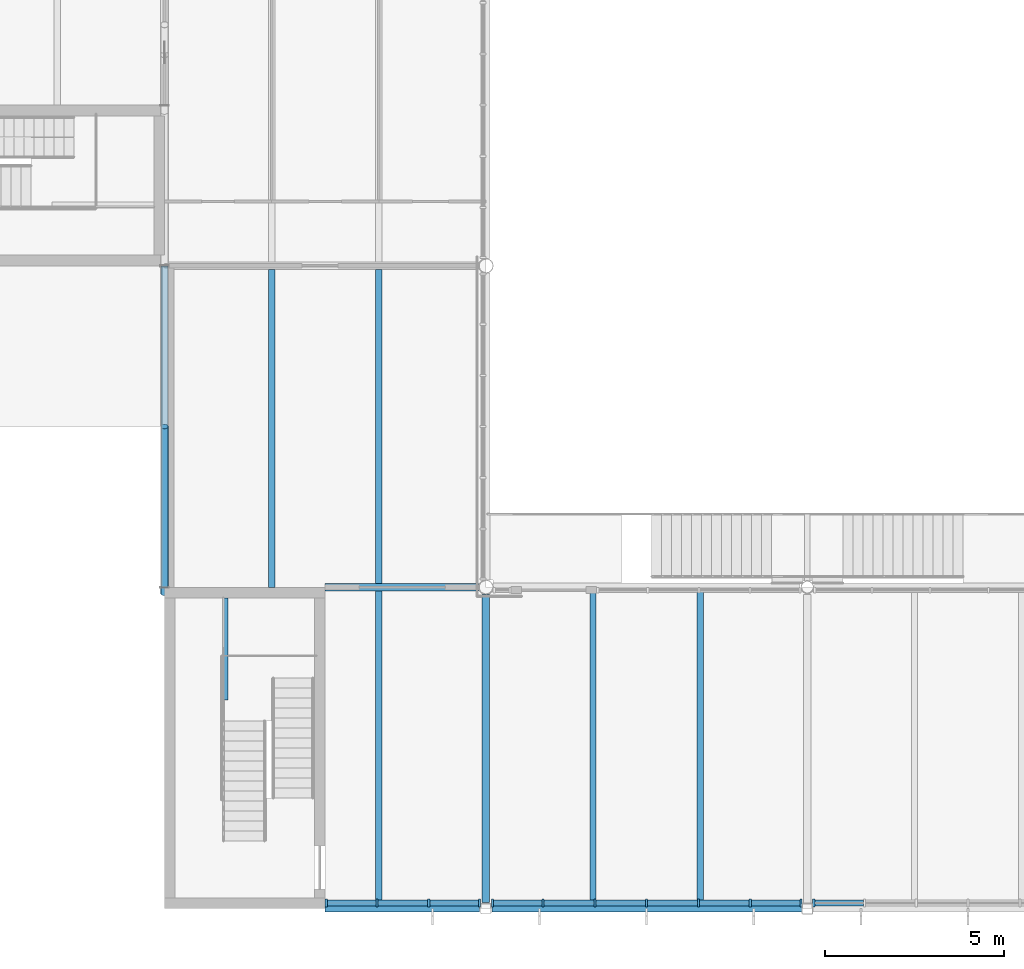
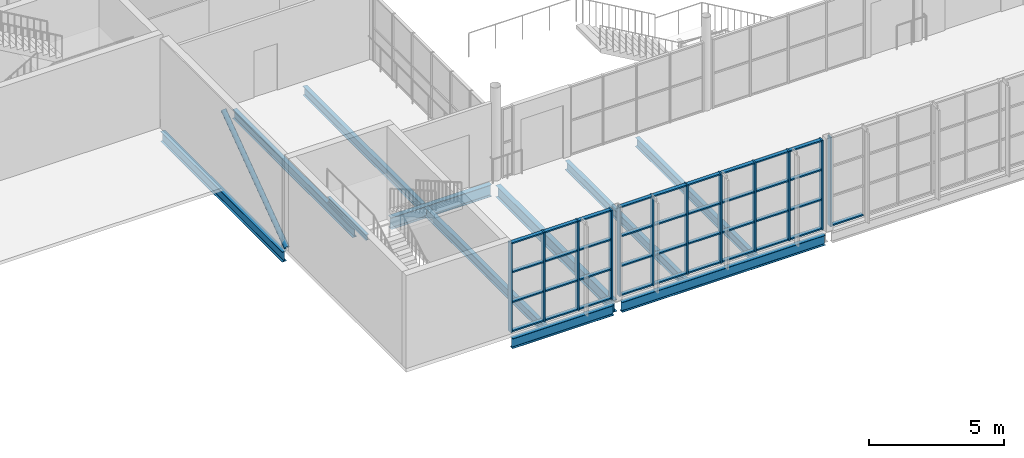
# One storey, part 13 of 57: 50 members, 11 beams, 3 elements without a shape of their own.
"""IFC4 building model written with IfcOpenShell, lengths in metres."""

from ifc_helpers import new_model, si_unit, direction, frame, origin, origin_2d, place, context, subcontext, project, spatial, rectangle, hollow_circle, i_section, extrude, material, layer, layer_set, material_profile, profile_set, type_object, element, aggregate, save


model = new_model("IFC4")

# Units and contexts
model_context = context("Model", 3, precision=1e-05, world=origin(), true_north=direction((0.0, 1.0)))
body_context = subcontext(model_context, "Body", "Model", "MODEL_VIEW")
ifc_project = project(units=[si_unit("LENGTHUNIT", "METRE"), si_unit("AREAUNIT", "SQUARE_METRE"), si_unit("VOLUMEUNIT", "CUBIC_METRE"), si_unit("PLANEANGLEUNIT", "RADIAN"), si_unit("MASSUNIT", "GRAM", prefix="KILO")], contexts=[model_context])

# Site, building, storey
site_placement = place(None, origin())
site = spatial("IfcSite", under=ifc_project, at=site_placement, CompositionType="ELEMENT")
building_placement = place(site_placement, origin())
building = spatial("IfcBuilding", under=site, at=building_placement, Name="Halyard Row Museum", CompositionType="ELEMENT")
storey_placement = place(building_placement, frame((0.0, 0.0, 5.0)))
storey = spatial("IfcBuildingStorey", under=building, at=storey_placement, Name="L01", CompositionType="ELEMENT", Elevation=5.0)

# Member
ifc_material_1 = material(Name="Steel Grade C350L0", Category="steel")
ifc_material_profile_1 = material_profile(ifc_material_1, hollow_circle(Radius=0.109619140625, WallThickness=0.00830078125, at=origin_2d()), Name="219.1x8.2CHS")
ifc_profile_set_1 = profile_set([ifc_material_profile_1], Name="Steel Grade C350L0")
member_type_1 = type_object("IfcMemberType", Name="Brace 219.1x8.2CHS", PredefinedType="BRACE", material=ifc_profile_set_1)
member_1_placement = place(storey_placement, frame((72.0, 8.830078125, 0.109619140625), z_axis=(0.0, 0.809666762565, 0.586889882003), x_axis=(-1.0, 0.0, 0.0)))
element("IfcMember", 1, at=member_1_placement, inside=storey, type_object=member_type_1, Name="Brace L01 X72 9-18 A", PredefinedType="BRACE", context=body_context, shape_type="SweptSolid", body=[
    extrude(hollow_circle(Radius=0.109619140625, WallThickness=0.00830078125, at=origin_2d()), origin(), (0.0, 0.0, 1.0), 5.767822265625),
])

# Curtain wall, members
ifc_material_2 = material(Name="Double glazed unit, low-emissivity", Category="glass")
ifc_layer = layer(ifc_material_2, 0.219970703125)
ifc_layer_set = layer_set([ifc_layer], Name="Double glazed unit, low-emissivity")
curtain_wall_type = type_object("IfcCurtainWallType", Name="Curtain wall unitised 220 deep", PredefinedType="NOTDEFINED", material=ifc_layer_set)
curtain_wall_1_placement = place(storey_placement, origin())
curtain_wall_1 = element("IfcCurtainWall", 2, at=curtain_wall_1_placement, inside=storey, type_object=curtain_wall_type, Name="Curtain wall CW024", PredefinedType="NOTDEFINED")
ifc_material_3 = material(Name="Powder-coated aluminium section", Category="aluminium")
ifc_material_profile_2 = material_profile(ifc_material_3, rectangle(XDim=0.219970703125, YDim=0.06005859375, at=origin_2d()), Name="220x60 mullion")
ifc_profile_set_2 = profile_set([ifc_material_profile_2], Name="Powder-coated aluminium section")
member_type_2 = type_object("IfcMemberType", Name="Curtain wall mullion CM3 60 x 220", PredefinedType="MULLION", material=ifc_profile_set_2)
member_2_placement = place(storey_placement, frame((76.530029296875, 0.159912109375, 0.0), z_axis=(0.0, 0.0, 1.0), x_axis=(0.0, 1.0, 0.0)))
member_2 = element("IfcMember", 3, at=member_2_placement, type_object=member_type_2, Name="CW024 mullion 1", PredefinedType="MULLION", context=body_context, shape_type="SweptSolid", body=[
    extrude(rectangle(XDim=0.219970703125, YDim=0.06005859375, at=origin_2d()), origin(), (0.0, 0.0, 1.0), 4.034912109375),
])
member_3_placement = place(storey_placement, frame((77.949951171875, 0.159912109375, 0.0), z_axis=(0.0, 0.0, 1.0), x_axis=(0.0, 1.0, 0.0)))
member_3 = element("IfcMember", 4, at=member_3_placement, type_object=member_type_2, Name="CW024 mullion 2", PredefinedType="MULLION", context=body_context, shape_type="SweptSolid", body=[
    extrude(rectangle(XDim=0.219970703125, YDim=0.06005859375, at=origin_2d()), origin(), (0.0, 0.0, 1.0), 4.034912109375),
])
member_4_placement = place(storey_placement, frame((79.39990234375, 0.159912109375, 0.0), z_axis=(0.0, 0.0, 1.0), x_axis=(0.0, 1.0, 0.0)))
member_4 = element("IfcMember", 5, at=member_4_placement, type_object=member_type_2, Name="CW024 mullion 3", PredefinedType="MULLION", context=body_context, shape_type="SweptSolid", body=[
    extrude(rectangle(XDim=0.219970703125, YDim=0.06005859375, at=origin_2d()), origin(), (0.0, 0.0, 1.0), 4.034912109375),
])
member_5_placement = place(storey_placement, frame((80.820068359375, 0.159912109375, 0.0), z_axis=(0.0, 0.0, 1.0), x_axis=(0.0, 1.0, 0.0)))
member_5 = element("IfcMember", 6, at=member_5_placement, type_object=member_type_2, Name="CW024 mullion 4", PredefinedType="MULLION", context=body_context, shape_type="SweptSolid", body=[
    extrude(rectangle(XDim=0.219970703125, YDim=0.06005859375, at=origin_2d()), origin(), (0.0, 0.0, 1.0), 4.034912109375),
])

curtain_wall_2_placement = place(storey_placement, origin())
curtain_wall_2 = element("IfcCurtainWall", 7, at=curtain_wall_2_placement, inside=storey, type_object=curtain_wall_type, Name="Curtain wall CW025", PredefinedType="NOTDEFINED")
member_6_placement = place(storey_placement, frame((81.179931640625, 0.159912109375, 0.0), z_axis=(0.0, 0.0, 1.0), x_axis=(0.0, 1.0, 0.0)))
member_6 = element("IfcMember", 8, at=member_6_placement, type_object=member_type_2, Name="CW025 mullion 1", PredefinedType="MULLION", context=body_context, shape_type="SweptSolid", body=[
    extrude(rectangle(XDim=0.219970703125, YDim=0.06005859375, at=origin_2d()), origin(), (0.0, 0.0, 1.0), 4.034912109375),
])
member_7_placement = place(storey_placement, frame((82.60009765625, 0.159912109375, 0.0), z_axis=(0.0, 0.0, 1.0), x_axis=(0.0, 1.0, 0.0)))
member_7 = element("IfcMember", 9, at=member_7_placement, type_object=member_type_2, Name="CW025 mullion 2", PredefinedType="MULLION", context=body_context, shape_type="SweptSolid", body=[
    extrude(rectangle(XDim=0.219970703125, YDim=0.06005859375, at=origin_2d()), origin(), (0.0, 0.0, 1.0), 4.034912109375),
])
member_8_placement = place(storey_placement, frame((84.050048828125, 0.159912109375, 0.0), z_axis=(0.0, 0.0, 1.0), x_axis=(0.0, 1.0, 0.0)))
member_8 = element("IfcMember", 10, at=member_8_placement, type_object=member_type_2, Name="CW025 mullion 3", PredefinedType="MULLION", context=body_context, shape_type="SweptSolid", body=[
    extrude(rectangle(XDim=0.219970703125, YDim=0.06005859375, at=origin_2d()), origin(), (0.0, 0.0, 1.0), 4.034912109375),
])
member_9_placement = place(storey_placement, frame((85.5, 0.159912109375, 0.0), z_axis=(0.0, 0.0, 1.0), x_axis=(0.0, 1.0, 0.0)))
member_9 = element("IfcMember", 11, at=member_9_placement, type_object=member_type_2, Name="CW025 mullion 4", PredefinedType="MULLION", context=body_context, shape_type="SweptSolid", body=[
    extrude(rectangle(XDim=0.219970703125, YDim=0.06005859375, at=origin_2d()), origin(), (0.0, 0.0, 1.0), 4.034912109375),
])
member_10_placement = place(storey_placement, frame((86.949951171875, 0.159912109375, 0.0), z_axis=(0.0, 0.0, 1.0), x_axis=(0.0, 1.0, 0.0)))
member_10 = element("IfcMember", 12, at=member_10_placement, type_object=member_type_2, Name="CW025 mullion 5", PredefinedType="MULLION", context=body_context, shape_type="SweptSolid", body=[
    extrude(rectangle(XDim=0.219970703125, YDim=0.06005859375, at=origin_2d()), origin(), (0.0, 0.0, 1.0), 4.034912109375),
])
member_11_placement = place(storey_placement, frame((88.39990234375, 0.159912109375, 0.0), z_axis=(0.0, 0.0, 1.0), x_axis=(0.0, 1.0, 0.0)))
member_11 = element("IfcMember", 13, at=member_11_placement, type_object=member_type_2, Name="CW025 mullion 6", PredefinedType="MULLION", context=body_context, shape_type="SweptSolid", body=[
    extrude(rectangle(XDim=0.219970703125, YDim=0.06005859375, at=origin_2d()), origin(), (0.0, 0.0, 1.0), 4.034912109375),
])
member_12_placement = place(storey_placement, frame((89.820068359375, 0.159912109375, 0.0), z_axis=(0.0, 0.0, 1.0), x_axis=(0.0, 1.0, 0.0)))
member_12 = element("IfcMember", 14, at=member_12_placement, type_object=member_type_2, Name="CW025 mullion 7", PredefinedType="MULLION", context=body_context, shape_type="SweptSolid", body=[
    extrude(rectangle(XDim=0.219970703125, YDim=0.06005859375, at=origin_2d()), origin(), (0.0, 0.0, 1.0), 4.034912109375),
])

# Curtain wall, member
curtain_wall_3_placement = place(storey_placement, origin())
curtain_wall_3 = element("IfcCurtainWall", 15, at=curtain_wall_3_placement, inside=storey, type_object=curtain_wall_type, Name="Curtain wall CW026", PredefinedType="NOTDEFINED")
member_13_placement = place(storey_placement, frame((90.179931640625, 0.159912109375, 0.0), z_axis=(0.0, 0.0, 1.0), x_axis=(0.0, 1.0, 0.0)))
member_13 = element("IfcMember", 16, at=member_13_placement, type_object=member_type_2, Name="CW026 mullion 1", PredefinedType="MULLION", context=body_context, shape_type="SweptSolid", body=[
    extrude(rectangle(XDim=0.219970703125, YDim=0.06005859375, at=origin_2d()), origin(), (0.0, 0.0, 1.0), 4.034912109375),
])

# Member
ifc_material_4 = material(Name="Powder-coated aluminium section", Category="aluminium")
ifc_material_profile_3 = material_profile(ifc_material_4, rectangle(XDim=0.159912109375, YDim=0.06005859375, at=origin_2d()), Name="160x60 transom")
ifc_profile_set_3 = profile_set([ifc_material_profile_3], Name="Powder-coated aluminium section")
member_type_3 = type_object("IfcMemberType", Name="Curtain wall transom CT3 60 x 160", PredefinedType="USERDEFINED", material=ifc_profile_set_3)
member_14_placement = place(storey_placement, frame((76.56005859375, 0.159912109375, 0.030029296875), z_axis=(1.0, 0.0, 0.0), x_axis=(0.0, 1.0, 0.0)))
member_14 = element("IfcMember", 17, at=member_14_placement, type_object=member_type_3, Name="CW024 transom 1.1", ObjectType="TRANSOM", PredefinedType="USERDEFINED", context=body_context, shape_type="SweptSolid", body=[
    extrude(rectangle(XDim=0.159912109375, YDim=0.06005859375, at=origin_2d()), origin(), (0.0, 0.0, 1.0), 1.35986328125),
])

member_15_placement = place(storey_placement, frame((76.56005859375, 0.159912109375, 1.344970703125), z_axis=(1.0, 0.0, 0.0), x_axis=(0.0, 1.0, 0.0)))
member_15 = element("IfcMember", 18, at=member_15_placement, type_object=member_type_3, Name="CW024 transom 1.2", ObjectType="TRANSOM", PredefinedType="USERDEFINED", context=body_context, shape_type="SweptSolid", body=[
    extrude(rectangle(XDim=0.159912109375, YDim=0.06005859375, at=origin_2d()), origin(), (0.0, 0.0, 1.0), 1.35986328125),
])

member_16_placement = place(storey_placement, frame((76.56005859375, 0.159912109375, 2.68994140625), z_axis=(1.0, 0.0, 0.0), x_axis=(0.0, 1.0, 0.0)))
member_16 = element("IfcMember", 19, at=member_16_placement, type_object=member_type_3, Name="CW024 transom 1.3", ObjectType="TRANSOM", PredefinedType="USERDEFINED", context=body_context, shape_type="SweptSolid", body=[
    extrude(rectangle(XDim=0.159912109375, YDim=0.06005859375, at=origin_2d()), origin(), (0.0, 0.0, 1.0), 1.35986328125),
])

member_17_placement = place(storey_placement, frame((76.56005859375, 0.159912109375, 4.0048828125), z_axis=(1.0, 0.0, 0.0), x_axis=(0.0, 1.0, 0.0)))
member_17 = element("IfcMember", 20, at=member_17_placement, type_object=member_type_3, Name="CW024 transom 1.4", ObjectType="TRANSOM", PredefinedType="USERDEFINED", context=body_context, shape_type="SweptSolid", body=[
    extrude(rectangle(XDim=0.159912109375, YDim=0.06005859375, at=origin_2d()), origin(), (0.0, 0.0, 1.0), 1.35986328125),
])

member_18_placement = place(storey_placement, frame((77.97998046875, 0.159912109375, 0.030029296875), z_axis=(1.0, 0.0, 0.0), x_axis=(0.0, 1.0, 0.0)))
member_18 = element("IfcMember", 21, at=member_18_placement, type_object=member_type_3, Name="CW024 transom 2.1", ObjectType="TRANSOM", PredefinedType="USERDEFINED", context=body_context, shape_type="SweptSolid", body=[
    extrude(rectangle(XDim=0.159912109375, YDim=0.06005859375, at=origin_2d()), origin(), (0.0, 0.0, 1.0), 1.39013671875),
])

member_19_placement = place(storey_placement, frame((77.97998046875, 0.159912109375, 1.344970703125), z_axis=(1.0, 0.0, 0.0), x_axis=(0.0, 1.0, 0.0)))
member_19 = element("IfcMember", 22, at=member_19_placement, type_object=member_type_3, Name="CW024 transom 2.2", ObjectType="TRANSOM", PredefinedType="USERDEFINED", context=body_context, shape_type="SweptSolid", body=[
    extrude(rectangle(XDim=0.159912109375, YDim=0.06005859375, at=origin_2d()), origin(), (0.0, 0.0, 1.0), 1.39013671875),
])

member_20_placement = place(storey_placement, frame((77.97998046875, 0.159912109375, 2.68994140625), z_axis=(1.0, 0.0, 0.0), x_axis=(0.0, 1.0, 0.0)))
member_20 = element("IfcMember", 23, at=member_20_placement, type_object=member_type_3, Name="CW024 transom 2.3", ObjectType="TRANSOM", PredefinedType="USERDEFINED", context=body_context, shape_type="SweptSolid", body=[
    extrude(rectangle(XDim=0.159912109375, YDim=0.06005859375, at=origin_2d()), origin(), (0.0, 0.0, 1.0), 1.39013671875),
])

member_21_placement = place(storey_placement, frame((77.97998046875, 0.159912109375, 4.0048828125), z_axis=(1.0, 0.0, 0.0), x_axis=(0.0, 1.0, 0.0)))
member_21 = element("IfcMember", 24, at=member_21_placement, type_object=member_type_3, Name="CW024 transom 2.4", ObjectType="TRANSOM", PredefinedType="USERDEFINED", context=body_context, shape_type="SweptSolid", body=[
    extrude(rectangle(XDim=0.159912109375, YDim=0.06005859375, at=origin_2d()), origin(), (0.0, 0.0, 1.0), 1.39013671875),
])

member_22_placement = place(storey_placement, frame((79.429931640625, 0.159912109375, 0.030029296875), z_axis=(1.0, 0.0, 0.0), x_axis=(0.0, 1.0, 0.0)))
member_22 = element("IfcMember", 25, at=member_22_placement, type_object=member_type_3, Name="CW024 transom 3.1", ObjectType="TRANSOM", PredefinedType="USERDEFINED", context=body_context, shape_type="SweptSolid", body=[
    extrude(rectangle(XDim=0.159912109375, YDim=0.06005859375, at=origin_2d()), origin(), (0.0, 0.0, 1.0), 1.360107421875),
])

member_23_placement = place(storey_placement, frame((79.429931640625, 0.159912109375, 1.344970703125), z_axis=(1.0, 0.0, 0.0), x_axis=(0.0, 1.0, 0.0)))
member_23 = element("IfcMember", 26, at=member_23_placement, type_object=member_type_3, Name="CW024 transom 3.2", ObjectType="TRANSOM", PredefinedType="USERDEFINED", context=body_context, shape_type="SweptSolid", body=[
    extrude(rectangle(XDim=0.159912109375, YDim=0.06005859375, at=origin_2d()), origin(), (0.0, 0.0, 1.0), 1.360107421875),
])

member_24_placement = place(storey_placement, frame((79.429931640625, 0.159912109375, 2.68994140625), z_axis=(1.0, 0.0, 0.0), x_axis=(0.0, 1.0, 0.0)))
member_24 = element("IfcMember", 27, at=member_24_placement, type_object=member_type_3, Name="CW024 transom 3.3", ObjectType="TRANSOM", PredefinedType="USERDEFINED", context=body_context, shape_type="SweptSolid", body=[
    extrude(rectangle(XDim=0.159912109375, YDim=0.06005859375, at=origin_2d()), origin(), (0.0, 0.0, 1.0), 1.360107421875),
])

member_25_placement = place(storey_placement, frame((79.429931640625, 0.159912109375, 4.0048828125), z_axis=(1.0, 0.0, 0.0), x_axis=(0.0, 1.0, 0.0)))
member_25 = element("IfcMember", 28, at=member_25_placement, type_object=member_type_3, Name="CW024 transom 3.4", ObjectType="TRANSOM", PredefinedType="USERDEFINED", context=body_context, shape_type="SweptSolid", body=[
    extrude(rectangle(XDim=0.159912109375, YDim=0.06005859375, at=origin_2d()), origin(), (0.0, 0.0, 1.0), 1.360107421875),
])

aggregate(curtain_wall_1, [member_2, member_3, member_4, member_5, member_14, member_15, member_16, member_17, member_18, member_19, member_20, member_21, member_22, member_23, member_24, member_25])

member_26_placement = place(storey_placement, frame((81.2099609375, 0.159912109375, 0.030029296875), z_axis=(1.0, 0.0, 0.0), x_axis=(0.0, 1.0, 0.0)))
member_26 = element("IfcMember", 29, at=member_26_placement, type_object=member_type_3, Name="CW025 transom 1.1", ObjectType="TRANSOM", PredefinedType="USERDEFINED", context=body_context, shape_type="SweptSolid", body=[
    extrude(rectangle(XDim=0.159912109375, YDim=0.06005859375, at=origin_2d()), origin(), (0.0, 0.0, 1.0), 1.360107421875),
])

member_27_placement = place(storey_placement, frame((81.2099609375, 0.159912109375, 1.344970703125), z_axis=(1.0, 0.0, 0.0), x_axis=(0.0, 1.0, 0.0)))
member_27 = element("IfcMember", 30, at=member_27_placement, type_object=member_type_3, Name="CW025 transom 1.2", ObjectType="TRANSOM", PredefinedType="USERDEFINED", context=body_context, shape_type="SweptSolid", body=[
    extrude(rectangle(XDim=0.159912109375, YDim=0.06005859375, at=origin_2d()), origin(), (0.0, 0.0, 1.0), 1.360107421875),
])

member_28_placement = place(storey_placement, frame((81.2099609375, 0.159912109375, 2.68994140625), z_axis=(1.0, 0.0, 0.0), x_axis=(0.0, 1.0, 0.0)))
member_28 = element("IfcMember", 31, at=member_28_placement, type_object=member_type_3, Name="CW025 transom 1.3", ObjectType="TRANSOM", PredefinedType="USERDEFINED", context=body_context, shape_type="SweptSolid", body=[
    extrude(rectangle(XDim=0.159912109375, YDim=0.06005859375, at=origin_2d()), origin(), (0.0, 0.0, 1.0), 1.360107421875),
])

member_29_placement = place(storey_placement, frame((81.2099609375, 0.159912109375, 4.0048828125), z_axis=(1.0, 0.0, 0.0), x_axis=(0.0, 1.0, 0.0)))
member_29 = element("IfcMember", 32, at=member_29_placement, type_object=member_type_3, Name="CW025 transom 1.4", ObjectType="TRANSOM", PredefinedType="USERDEFINED", context=body_context, shape_type="SweptSolid", body=[
    extrude(rectangle(XDim=0.159912109375, YDim=0.06005859375, at=origin_2d()), origin(), (0.0, 0.0, 1.0), 1.360107421875),
])

member_30_placement = place(storey_placement, frame((82.6298828125, 0.159912109375, 0.030029296875), z_axis=(1.0, 0.0, 0.0), x_axis=(0.0, 1.0, 0.0)))
member_30 = element("IfcMember", 33, at=member_30_placement, type_object=member_type_3, Name="CW025 transom 2.1", ObjectType="TRANSOM", PredefinedType="USERDEFINED", context=body_context, shape_type="SweptSolid", body=[
    extrude(rectangle(XDim=0.159912109375, YDim=0.06005859375, at=origin_2d()), origin(), (0.0, 0.0, 1.0), 1.39013671875),
])

member_31_placement = place(storey_placement, frame((82.6298828125, 0.159912109375, 1.344970703125), z_axis=(1.0, 0.0, 0.0), x_axis=(0.0, 1.0, 0.0)))
member_31 = element("IfcMember", 34, at=member_31_placement, type_object=member_type_3, Name="CW025 transom 2.2", ObjectType="TRANSOM", PredefinedType="USERDEFINED", context=body_context, shape_type="SweptSolid", body=[
    extrude(rectangle(XDim=0.159912109375, YDim=0.06005859375, at=origin_2d()), origin(), (0.0, 0.0, 1.0), 1.39013671875),
])

member_32_placement = place(storey_placement, frame((82.6298828125, 0.159912109375, 2.68994140625), z_axis=(1.0, 0.0, 0.0), x_axis=(0.0, 1.0, 0.0)))
member_32 = element("IfcMember", 35, at=member_32_placement, type_object=member_type_3, Name="CW025 transom 2.3", ObjectType="TRANSOM", PredefinedType="USERDEFINED", context=body_context, shape_type="SweptSolid", body=[
    extrude(rectangle(XDim=0.159912109375, YDim=0.06005859375, at=origin_2d()), origin(), (0.0, 0.0, 1.0), 1.39013671875),
])

member_33_placement = place(storey_placement, frame((82.6298828125, 0.159912109375, 4.0048828125), z_axis=(1.0, 0.0, 0.0), x_axis=(0.0, 1.0, 0.0)))
member_33 = element("IfcMember", 36, at=member_33_placement, type_object=member_type_3, Name="CW025 transom 2.4", ObjectType="TRANSOM", PredefinedType="USERDEFINED", context=body_context, shape_type="SweptSolid", body=[
    extrude(rectangle(XDim=0.159912109375, YDim=0.06005859375, at=origin_2d()), origin(), (0.0, 0.0, 1.0), 1.39013671875),
])

member_34_placement = place(storey_placement, frame((84.080078125, 0.159912109375, 0.030029296875), z_axis=(1.0, 0.0, 0.0), x_axis=(0.0, 1.0, 0.0)))
member_34 = element("IfcMember", 37, at=member_34_placement, type_object=member_type_3, Name="CW025 transom 3.1", ObjectType="TRANSOM", PredefinedType="USERDEFINED", context=body_context, shape_type="SweptSolid", body=[
    extrude(rectangle(XDim=0.159912109375, YDim=0.06005859375, at=origin_2d()), origin(), (0.0, 0.0, 1.0), 1.389892578125),
])

member_35_placement = place(storey_placement, frame((84.080078125, 0.159912109375, 1.344970703125), z_axis=(1.0, 0.0, 0.0), x_axis=(0.0, 1.0, 0.0)))
member_35 = element("IfcMember", 38, at=member_35_placement, type_object=member_type_3, Name="CW025 transom 3.2", ObjectType="TRANSOM", PredefinedType="USERDEFINED", context=body_context, shape_type="SweptSolid", body=[
    extrude(rectangle(XDim=0.159912109375, YDim=0.06005859375, at=origin_2d()), origin(), (0.0, 0.0, 1.0), 1.389892578125),
])

member_36_placement = place(storey_placement, frame((84.080078125, 0.159912109375, 2.68994140625), z_axis=(1.0, 0.0, 0.0), x_axis=(0.0, 1.0, 0.0)))
member_36 = element("IfcMember", 39, at=member_36_placement, type_object=member_type_3, Name="CW025 transom 3.3", ObjectType="TRANSOM", PredefinedType="USERDEFINED", context=body_context, shape_type="SweptSolid", body=[
    extrude(rectangle(XDim=0.159912109375, YDim=0.06005859375, at=origin_2d()), origin(), (0.0, 0.0, 1.0), 1.389892578125),
])

member_37_placement = place(storey_placement, frame((84.080078125, 0.159912109375, 4.0048828125), z_axis=(1.0, 0.0, 0.0), x_axis=(0.0, 1.0, 0.0)))
member_37 = element("IfcMember", 40, at=member_37_placement, type_object=member_type_3, Name="CW025 transom 3.4", ObjectType="TRANSOM", PredefinedType="USERDEFINED", context=body_context, shape_type="SweptSolid", body=[
    extrude(rectangle(XDim=0.159912109375, YDim=0.06005859375, at=origin_2d()), origin(), (0.0, 0.0, 1.0), 1.389892578125),
])

member_38_placement = place(storey_placement, frame((85.530029296875, 0.159912109375, 0.030029296875), z_axis=(1.0, 0.0, 0.0), x_axis=(0.0, 1.0, 0.0)))
member_38 = element("IfcMember", 41, at=member_38_placement, type_object=member_type_3, Name="CW025 transom 4.1", ObjectType="TRANSOM", PredefinedType="USERDEFINED", context=body_context, shape_type="SweptSolid", body=[
    extrude(rectangle(XDim=0.159912109375, YDim=0.06005859375, at=origin_2d()), origin(), (0.0, 0.0, 1.0), 1.389892578125),
])

member_39_placement = place(storey_placement, frame((85.530029296875, 0.159912109375, 1.344970703125), z_axis=(1.0, 0.0, 0.0), x_axis=(0.0, 1.0, 0.0)))
member_39 = element("IfcMember", 42, at=member_39_placement, type_object=member_type_3, Name="CW025 transom 4.2", ObjectType="TRANSOM", PredefinedType="USERDEFINED", context=body_context, shape_type="SweptSolid", body=[
    extrude(rectangle(XDim=0.159912109375, YDim=0.06005859375, at=origin_2d()), origin(), (0.0, 0.0, 1.0), 1.389892578125),
])

member_40_placement = place(storey_placement, frame((85.530029296875, 0.159912109375, 2.68994140625), z_axis=(1.0, 0.0, 0.0), x_axis=(0.0, 1.0, 0.0)))
member_40 = element("IfcMember", 43, at=member_40_placement, type_object=member_type_3, Name="CW025 transom 4.3", ObjectType="TRANSOM", PredefinedType="USERDEFINED", context=body_context, shape_type="SweptSolid", body=[
    extrude(rectangle(XDim=0.159912109375, YDim=0.06005859375, at=origin_2d()), origin(), (0.0, 0.0, 1.0), 1.389892578125),
])

member_41_placement = place(storey_placement, frame((85.530029296875, 0.159912109375, 4.0048828125), z_axis=(1.0, 0.0, 0.0), x_axis=(0.0, 1.0, 0.0)))
member_41 = element("IfcMember", 44, at=member_41_placement, type_object=member_type_3, Name="CW025 transom 4.4", ObjectType="TRANSOM", PredefinedType="USERDEFINED", context=body_context, shape_type="SweptSolid", body=[
    extrude(rectangle(XDim=0.159912109375, YDim=0.06005859375, at=origin_2d()), origin(), (0.0, 0.0, 1.0), 1.389892578125),
])

member_42_placement = place(storey_placement, frame((86.97998046875, 0.159912109375, 0.030029296875), z_axis=(1.0, 0.0, 0.0), x_axis=(0.0, 1.0, 0.0)))
member_42 = element("IfcMember", 45, at=member_42_placement, type_object=member_type_3, Name="CW025 transom 5.1", ObjectType="TRANSOM", PredefinedType="USERDEFINED", context=body_context, shape_type="SweptSolid", body=[
    extrude(rectangle(XDim=0.159912109375, YDim=0.06005859375, at=origin_2d()), origin(), (0.0, 0.0, 1.0), 1.39013671875),
])

member_43_placement = place(storey_placement, frame((86.97998046875, 0.159912109375, 1.344970703125), z_axis=(1.0, 0.0, 0.0), x_axis=(0.0, 1.0, 0.0)))
member_43 = element("IfcMember", 46, at=member_43_placement, type_object=member_type_3, Name="CW025 transom 5.2", ObjectType="TRANSOM", PredefinedType="USERDEFINED", context=body_context, shape_type="SweptSolid", body=[
    extrude(rectangle(XDim=0.159912109375, YDim=0.06005859375, at=origin_2d()), origin(), (0.0, 0.0, 1.0), 1.39013671875),
])

member_44_placement = place(storey_placement, frame((86.97998046875, 0.159912109375, 2.68994140625), z_axis=(1.0, 0.0, 0.0), x_axis=(0.0, 1.0, 0.0)))
member_44 = element("IfcMember", 47, at=member_44_placement, type_object=member_type_3, Name="CW025 transom 5.3", ObjectType="TRANSOM", PredefinedType="USERDEFINED", context=body_context, shape_type="SweptSolid", body=[
    extrude(rectangle(XDim=0.159912109375, YDim=0.06005859375, at=origin_2d()), origin(), (0.0, 0.0, 1.0), 1.39013671875),
])

member_45_placement = place(storey_placement, frame((86.97998046875, 0.159912109375, 4.0048828125), z_axis=(1.0, 0.0, 0.0), x_axis=(0.0, 1.0, 0.0)))
member_45 = element("IfcMember", 48, at=member_45_placement, type_object=member_type_3, Name="CW025 transom 5.4", ObjectType="TRANSOM", PredefinedType="USERDEFINED", context=body_context, shape_type="SweptSolid", body=[
    extrude(rectangle(XDim=0.159912109375, YDim=0.06005859375, at=origin_2d()), origin(), (0.0, 0.0, 1.0), 1.39013671875),
])

member_46_placement = place(storey_placement, frame((88.429931640625, 0.159912109375, 0.030029296875), z_axis=(1.0, 0.0, 0.0), x_axis=(0.0, 1.0, 0.0)))
member_46 = element("IfcMember", 49, at=member_46_placement, type_object=member_type_3, Name="CW025 transom 6.1", ObjectType="TRANSOM", PredefinedType="USERDEFINED", context=body_context, shape_type="SweptSolid", body=[
    extrude(rectangle(XDim=0.159912109375, YDim=0.06005859375, at=origin_2d()), origin(), (0.0, 0.0, 1.0), 1.360107421875),
])

member_47_placement = place(storey_placement, frame((88.429931640625, 0.159912109375, 1.344970703125), z_axis=(1.0, 0.0, 0.0), x_axis=(0.0, 1.0, 0.0)))
member_47 = element("IfcMember", 50, at=member_47_placement, type_object=member_type_3, Name="CW025 transom 6.2", ObjectType="TRANSOM", PredefinedType="USERDEFINED", context=body_context, shape_type="SweptSolid", body=[
    extrude(rectangle(XDim=0.159912109375, YDim=0.06005859375, at=origin_2d()), origin(), (0.0, 0.0, 1.0), 1.360107421875),
])

member_48_placement = place(storey_placement, frame((88.429931640625, 0.159912109375, 2.68994140625), z_axis=(1.0, 0.0, 0.0), x_axis=(0.0, 1.0, 0.0)))
member_48 = element("IfcMember", 51, at=member_48_placement, type_object=member_type_3, Name="CW025 transom 6.3", ObjectType="TRANSOM", PredefinedType="USERDEFINED", context=body_context, shape_type="SweptSolid", body=[
    extrude(rectangle(XDim=0.159912109375, YDim=0.06005859375, at=origin_2d()), origin(), (0.0, 0.0, 1.0), 1.360107421875),
])

member_49_placement = place(storey_placement, frame((88.429931640625, 0.159912109375, 4.0048828125), z_axis=(1.0, 0.0, 0.0), x_axis=(0.0, 1.0, 0.0)))
member_49 = element("IfcMember", 52, at=member_49_placement, type_object=member_type_3, Name="CW025 transom 6.4", ObjectType="TRANSOM", PredefinedType="USERDEFINED", context=body_context, shape_type="SweptSolid", body=[
    extrude(rectangle(XDim=0.159912109375, YDim=0.06005859375, at=origin_2d()), origin(), (0.0, 0.0, 1.0), 1.360107421875),
])

aggregate(curtain_wall_2, [member_6, member_7, member_8, member_9, member_10, member_11, member_12, member_26, member_27, member_28, member_29, member_30, member_31, member_32, member_33, member_34, member_35, member_36, member_37, member_38, member_39, member_40, member_41, member_42, member_43, member_44, member_45, member_46, member_47, member_48, member_49])

member_50_placement = place(storey_placement, frame((90.2099609375, 0.159912109375, 0.030029296875), z_axis=(1.0, 0.0, 0.0), x_axis=(0.0, 1.0, 0.0)))
member_50 = element("IfcMember", 53, at=member_50_placement, type_object=member_type_3, Name="CW026 transom 1.1", ObjectType="TRANSOM", PredefinedType="USERDEFINED", context=body_context, shape_type="SweptSolid", body=[
    extrude(rectangle(XDim=0.159912109375, YDim=0.06005859375, at=origin_2d()), origin(), (0.0, 0.0, 1.0), 1.360107421875),
])

aggregate(curtain_wall_3, [member_13, member_50])

# Beams
ifc_material_5 = material(Name="Steel Grade 300", Category="steel")
ifc_material_profile_4 = material_profile(ifc_material_5, i_section(OverallWidth=0.18994140625, OverallDepth=0.45751953125, WebThickness=0.009033203125, FlangeThickness=0.014404296875, FilletRadius=0.011474609375, at=origin_2d()), Name="460UB74.6")
ifc_profile_set_4 = profile_set([ifc_material_profile_4], Name="Steel Grade 300")
beam_type_1 = type_object("IfcBeamType", Name="Edge beam 460UB74.6", PredefinedType="BEAM", material=ifc_profile_set_4)
beam_1_placement = place(storey_placement, frame((76.5, 0.0, -0.393798828125), z_axis=(1.0, 0.0, 0.0), x_axis=(0.0, 1.0, 0.0)))
element("IfcBeam", 54, at=beam_1_placement, inside=storey, type_object=beam_type_1, Name="Beam L01-002", PredefinedType="BEAM", context=body_context, shape_type="SweptSolid", body=[
    extrude(i_section(OverallWidth=0.18994140625, OverallDepth=0.45751953125, WebThickness=0.009033203125, FlangeThickness=0.014404296875, FilletRadius=0.011474609375, at=origin_2d()), origin(), (0.0, 0.0, 1.0), 4.324951171875),
])
beam_2_placement = place(storey_placement, frame((81.175048828125, 0.0, -0.393798828125), z_axis=(1.0, 0.0, 0.0), x_axis=(0.0, 1.0, 0.0)))
element("IfcBeam", 55, at=beam_2_placement, inside=storey, type_object=beam_type_1, Name="Beam L01-003", PredefinedType="BEAM", context=body_context, shape_type="SweptSolid", body=[
    extrude(i_section(OverallWidth=0.18994140625, OverallDepth=0.45751953125, WebThickness=0.009033203125, FlangeThickness=0.014404296875, FilletRadius=0.011474609375, at=origin_2d()), origin(), (0.0, 0.0, 1.0), 8.675048828125),
])
beam_3_placement = place(storey_placement, frame((72.0, 9.0, -0.393798828125), z_axis=(0.0, 1.0, 0.0), x_axis=(-1.0, 0.0, 0.0)))
element("IfcBeam", 56, at=beam_3_placement, inside=storey, type_object=beam_type_1, Name="Beam L01-062", PredefinedType="BEAM", context=body_context, shape_type="SweptSolid", body=[
    extrude(i_section(OverallWidth=0.18994140625, OverallDepth=0.45751953125, WebThickness=0.009033203125, FlangeThickness=0.014404296875, FilletRadius=0.011474609375, at=origin_2d()), origin(), (0.0, 0.0, 1.0), 9.0),
])
ifc_material_6 = material(Name="Steel Grade 300", Category="steel")
ifc_material_profile_5 = material_profile(ifc_material_6, i_section(OverallWidth=0.208984375, OverallDepth=0.532958984375, WebThickness=0.01025390625, FlangeThickness=0.015625, FilletRadius=0.013916015625, at=origin_2d()), Name="530UB92.4")
ifc_profile_set_5 = profile_set([ifc_material_profile_5], Name="Steel Grade 300")
beam_type_2 = type_object("IfcBeamType", Name="Girder beam 530UB92.4", PredefinedType="BEAM", material=ifc_profile_set_5)
beam_4_placement = place(storey_placement, frame((76.5, 9.0, -0.431396484375), z_axis=(1.0, 0.0, 0.0), x_axis=(0.0, 1.0, 0.0)))
element("IfcBeam", 57, at=beam_4_placement, inside=storey, type_object=beam_type_2, Name="Beam L01-007", PredefinedType="BEAM", context=body_context, shape_type="SweptSolid", body=[
    extrude(i_section(OverallWidth=0.208984375, OverallDepth=0.532958984375, WebThickness=0.01025390625, FlangeThickness=0.015625, FilletRadius=0.013916015625, at=origin_2d()), origin(), (0.0, 0.0, 1.0), 4.296875),
])
beam_5_placement = place(storey_placement, frame((81.0, 0.175048828125, -0.431396484375), z_axis=(0.0, 1.0, 0.0), x_axis=(-1.0, 0.0, 0.0)))
element("IfcBeam", 58, at=beam_5_placement, inside=storey, type_object=beam_type_2, Name="Beam L01-065", PredefinedType="BEAM", context=body_context, shape_type="SweptSolid", body=[
    extrude(i_section(OverallWidth=0.208984375, OverallDepth=0.532958984375, WebThickness=0.01025390625, FlangeThickness=0.015625, FilletRadius=0.013916015625, at=origin_2d()), origin(), (0.0, 0.0, 1.0), 8.621826171875),
])
ifc_material_7 = material(Name="Steel Grade 300", Category="steel")
ifc_material_profile_6 = material_profile(ifc_material_7, i_section(OverallWidth=0.1240234375, OverallDepth=0.248046875, WebThickness=0.0048828125, FlangeThickness=0.008056640625, FilletRadius=0.011962890625, at=origin_2d()), Name="250UB25.7")
ifc_profile_set_6 = profile_set([ifc_material_profile_6], Name="Steel Grade 300")
beam_type_3 = type_object("IfcBeamType", Name="Landing trimmer 250UB25.7", PredefinedType="BEAM", material=ifc_profile_set_6)
beam_6_placement = place(storey_placement, frame((73.721923828125, 8.702880859375, 1.77587890625), z_axis=(0.0, -1.0, 0.0), x_axis=(1.0, 0.0, 0.0)))
element("IfcBeam", 59, at=beam_6_placement, inside=storey, type_object=beam_type_3, Name="Landing ledger K2A L01 1", PredefinedType="BEAM", context=body_context, shape_type="SweptSolid", body=[
    extrude(i_section(OverallWidth=0.1240234375, OverallDepth=0.248046875, WebThickness=0.0048828125, FlangeThickness=0.008056640625, FilletRadius=0.011962890625, at=origin_2d()), origin(), (0.0, 0.0, 1.0), 2.852783203125),
])
ifc_material_8 = material(Name="Steel Grade 300", Category="steel")
ifc_material_profile_7 = material_profile(ifc_material_8, i_section(OverallWidth=0.177978515625, OverallDepth=0.406494140625, WebThickness=0.0078125, FlangeThickness=0.0126953125, FilletRadius=0.011474609375, at=origin_2d()), Name="410UB59.7")
ifc_profile_set_7 = profile_set([ifc_material_profile_7], Name="Steel Grade 300")
beam_type_4 = type_object("IfcBeamType", Name="Secondary beam 410UB59.7", PredefinedType="BEAM", material=ifc_profile_set_7)
beam_7_placement = place(storey_placement, frame((78.0, 0.094970703125, -0.3681640625), z_axis=(0.0, 1.0, 0.0), x_axis=(-1.0, 0.0, 0.0)))
element("IfcBeam", 60, at=beam_7_placement, inside=storey, type_object=beam_type_4, Name="Beam L01-087", PredefinedType="BEAM", context=body_context, shape_type="SweptSolid", body=[
    extrude(i_section(OverallWidth=0.177978515625, OverallDepth=0.406494140625, WebThickness=0.0078125, FlangeThickness=0.0126953125, FilletRadius=0.011474609375, at=origin_2d()), origin(), (0.0, 0.0, 1.0), 8.800537109375),
])
for number, where, z_axis, x_axis, name in (
    (61, (84.0, 0.094970703125, -0.3681640625), (0.0, 1.0, 0.0), (-1.0, 0.0, 0.0), "Beam L01-088"),
    (62, (87.0, 0.094970703125, -0.3681640625), (0.0, 1.0, 0.0), (-1.0, 0.0, 0.0), "Beam L01-089"),
):
    element("IfcBeam", number, at=place(storey_placement, frame(where, z_axis=z_axis, x_axis=x_axis)), inside=storey, type_object=beam_type_4, Name=name, PredefinedType="BEAM", context=body_context, shape_type="SweptSolid", body=[
        extrude(i_section(OverallWidth=0.177978515625, OverallDepth=0.406494140625, WebThickness=0.0078125, FlangeThickness=0.0126953125, FilletRadius=0.011474609375, at=origin_2d()), origin(), (0.0, 0.0, 1.0), 8.791015625),
    ])
beam_8_placement = place(storey_placement, frame((75.0, 9.0, -0.3681640625), z_axis=(0.0, 1.0, 0.0), x_axis=(-1.0, 0.0, 0.0)))
element("IfcBeam", 63, at=beam_8_placement, inside=storey, type_object=beam_type_4, Name="Beam L01-094", PredefinedType="BEAM", context=body_context, shape_type="SweptSolid", body=[
    extrude(i_section(OverallWidth=0.177978515625, OverallDepth=0.406494140625, WebThickness=0.0078125, FlangeThickness=0.0126953125, FilletRadius=0.011474609375, at=origin_2d()), origin(), (0.0, 0.0, 1.0), 8.8955078125),
])
beam_9_placement = place(storey_placement, frame((78.0, 9.1044921875, -0.3681640625), z_axis=(0.0, 1.0, 0.0), x_axis=(-1.0, 0.0, 0.0)))
element("IfcBeam", 64, at=beam_9_placement, inside=storey, type_object=beam_type_4, Name="Beam L01-098", PredefinedType="BEAM", context=body_context, shape_type="SweptSolid", body=[
    extrude(i_section(OverallWidth=0.177978515625, OverallDepth=0.406494140625, WebThickness=0.0078125, FlangeThickness=0.0126953125, FilletRadius=0.011474609375, at=origin_2d()), origin(), (0.0, 0.0, 1.0), 8.791015625),
])

save(model, "model.ifc")
